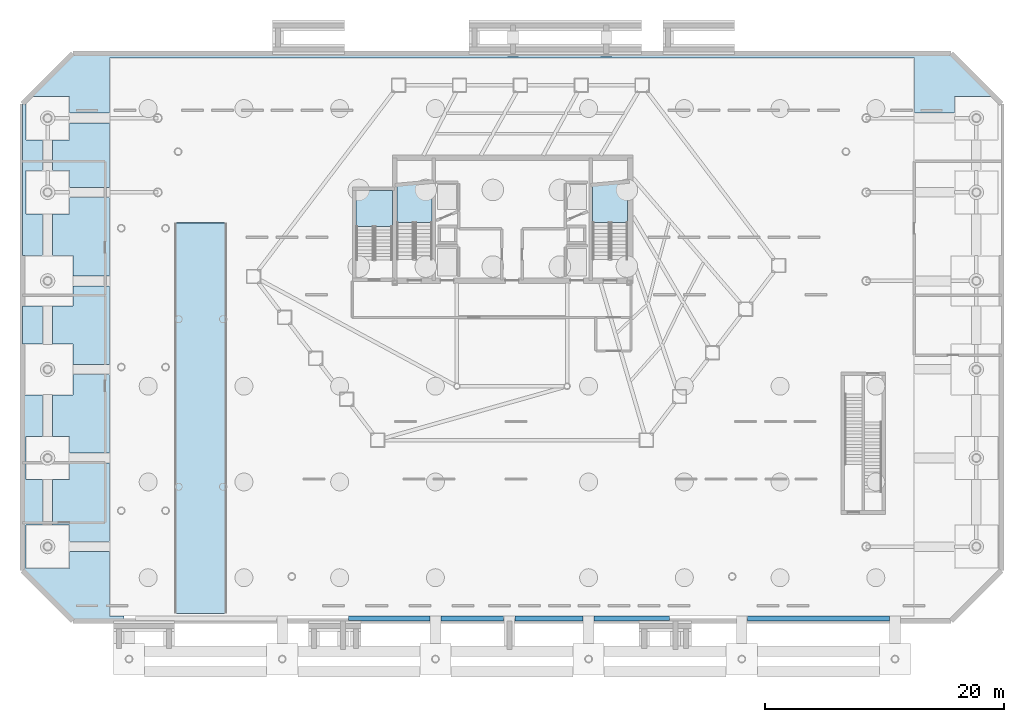
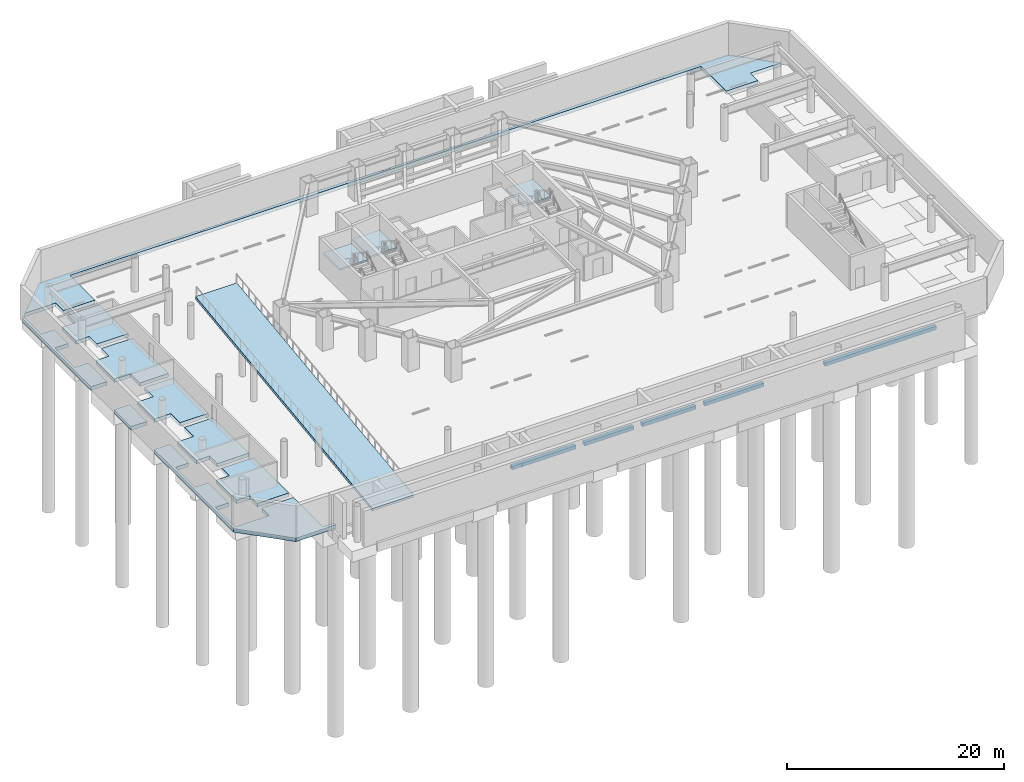
# One storey, part 8 of 19: 18 slabs, 3 elements without a shape of their own.
"""IFC4 building model written with IfcOpenShell, lengths in metres."""

from ifc_helpers import new_model, si_unit, direction, frame, origin, place, context, subcontext, project, spatial, polyline, outline, extrude, material, layer, layer_set, type_object, element, aggregate, save


model = new_model("IFC4")

# Units and contexts
model_context = context("Model", 3, precision=1e-05, world=origin(), true_north=direction((0.0, 1.0)))
body_context = subcontext(model_context, "Body", "Model", "MODEL_VIEW")
ifc_project = project(units=[si_unit("LENGTHUNIT", "METRE"), si_unit("AREAUNIT", "SQUARE_METRE"), si_unit("VOLUMEUNIT", "CUBIC_METRE"), si_unit("PLANEANGLEUNIT", "RADIAN"), si_unit("MASSUNIT", "GRAM", prefix="KILO")], contexts=[model_context])

# Site, building, storey
site_placement = place(None, origin())
site = spatial("IfcSite", under=ifc_project, at=site_placement, CompositionType="ELEMENT")
building_placement = place(site_placement, origin())
building = spatial("IfcBuilding", under=site, at=building_placement, Name="Zarrinselat Tower", CompositionType="ELEMENT")
storey_placement = place(building_placement, frame((0.0, 0.0, -8.159912109375)))
storey = spatial("IfcBuildingStorey", under=building, at=storey_placement, Name="B02", CompositionType="ELEMENT", Elevation=-8.159912109375)

# Slabs
ifc_material_1 = material(Name="Concrete C50/60", Category="concrete")
ifc_layer_1 = layer(ifc_material_1, 0.39990234375)
ifc_layer_set_1 = layer_set([ifc_layer_1], Name="Concrete C50/60")
slab_type_1 = type_object("IfcSlabType", Name="SLB-BASESLAB-400-SL-BS400", PredefinedType="BASESLAB", material=ifc_layer_set_1)
slab_1_placement = place(storey_placement, frame((0.0, 0.0, -0.400146484375)))
element("IfcSlab", 1, at=slab_1_placement, inside=storey, type_object=slab_type_1, Name="B02 Basement Base Slab Bay 1", PredefinedType="BASESLAB", context=body_context, shape_type="SweptSolid", body=[
    extrude(outline(polyline([(1.699951171875, 4.800048828125), (-2.5, 9.0), (-2.5, 23.68505859375), (-0.81494140625, 23.68505859375), (-0.81494140625, 20.215087890625), (-2.199951171875, 20.215087890625), (-2.201416015625, 20.21484375), (-2.202880859375, 20.214599609375), (-2.204345703125, 20.21435546875), (-2.205810546875, 20.2138671875), (-2.20703125, 20.213134765625), (-2.208251953125, 20.21240234375), (-2.20947265625, 20.211669921875), (-2.210693359375, 20.210693359375), (-2.211669921875, 20.20947265625), (-2.21240234375, 20.208251953125), (-2.213134765625, 20.20703125), (-2.2138671875, 20.205810546875), (-2.21435546875, 20.204345703125), (-2.214599609375, 20.202880859375), (-2.21484375, 20.201416015625), (-2.215087890625, 20.199951171875), (-2.215087890625, 16.60009765625), (-2.21484375, 16.598388671875), (-2.214599609375, 16.59716796875), (-2.21435546875, 16.595703125), (-2.2138671875, 16.59423828125), (-2.213134765625, 16.593017578125), (-2.21240234375, 16.591796875), (-2.211669921875, 16.590576171875), (-2.210693359375, 16.58935546875), (-2.20947265625, 16.58837890625), (-2.208251953125, 16.58740234375), (-2.20703125, 16.5869140625), (-2.205810546875, 16.586181640625), (-2.204345703125, 16.585693359375), (-2.202880859375, 16.585205078125), (-2.201416015625, 16.585205078125), (-2.199951171875, 16.5849609375), (-0.81494140625, 16.5849609375), (-0.81494140625, 12.81494140625), (-2.199951171875, 12.81494140625), (-2.201416015625, 12.81494140625), (-2.202880859375, 12.814697265625), (-2.204345703125, 12.814453125), (-2.205810546875, 12.81396484375), (-2.20703125, 12.813232421875), (-2.208251953125, 12.8125), (-2.20947265625, 12.8115234375), (-2.210693359375, 12.810546875), (-2.211669921875, 12.8095703125), (-2.21240234375, 12.808349609375), (-2.213134765625, 12.80712890625), (-2.2138671875, 12.8056640625), (-2.21435546875, 12.804443359375), (-2.214599609375, 12.802978515625), (-2.21484375, 12.801513671875), (-2.215087890625, 12.800048828125), (-2.215087890625, 9.199951171875), (-2.21484375, 9.198486328125), (-2.214599609375, 9.197021484375), (-2.21435546875, 9.195556640625), (-2.2138671875, 9.1943359375), (-2.213134765625, 9.19287109375), (-2.21240234375, 9.191650390625), (-2.211669921875, 9.1904296875), (-2.210693359375, 9.189453125), (-2.20947265625, 9.1884765625), (-2.208251953125, 9.1875), (-2.20703125, 9.186767578125), (-2.205810546875, 9.18603515625), (-2.204345703125, 9.185546875), (-2.202880859375, 9.185302734375), (-2.201416015625, 9.18505859375), (-2.199951171875, 9.18505859375), (1.39990234375, 9.18505859375), (1.401611328125, 9.18505859375), (1.40283203125, 9.185302734375), (1.404296875, 9.185546875), (1.40576171875, 9.18603515625), (1.406982421875, 9.186767578125), (1.408203125, 9.1875), (1.409423828125, 9.1884765625), (1.41064453125, 9.189453125), (1.41162109375, 9.1904296875), (1.41259765625, 9.191650390625), (1.4130859375, 9.19287109375), (1.413818359375, 9.1943359375), (1.414306640625, 9.195556640625), (1.414794921875, 9.197021484375), (1.414794921875, 9.198486328125), (1.4150390625, 9.199951171875), (1.4150390625, 10.5849609375), (4.784912109375, 10.5849609375), (4.784912109375, 5.199951171875), (4.78515625, 5.198486328125), (4.785400390625, 5.197021484375), (4.78564453125, 5.195556640625), (4.7861328125, 5.1943359375), (4.786865234375, 5.19287109375), (4.78759765625, 5.191650390625), (4.788330078125, 5.1904296875), (4.789306640625, 5.189453125), (4.79052734375, 5.1884765625), (4.791748046875, 5.1875), (4.79296875, 5.186767578125), (4.794189453125, 5.18603515625), (4.795654296875, 5.185546875), (4.797119140625, 5.185302734375), (4.798583984375, 5.18505859375), (4.800048828125, 5.18505859375), (5.9951171875, 5.18505859375), (5.9951171875, 4.81494140625), (5.10009765625, 4.81494140625), (5.098388671875, 4.81494140625), (5.09716796875, 4.814697265625), (5.095703125, 4.814453125), (5.09423828125, 4.81396484375), (5.093017578125, 4.813232421875), (5.091796875, 4.8125), (5.090576171875, 4.8115234375), (5.08935546875, 4.810546875), (5.08837890625, 4.8095703125), (5.08740234375, 4.808349609375), (5.0869140625, 4.80712890625), (5.086181640625, 4.8056640625), (5.085693359375, 4.804443359375), (5.085205078125, 4.802978515625), (5.085205078125, 4.801513671875), (5.0849609375, 4.800048828125), (1.699951171875, 4.800048828125)])), origin(), (0.0, 0.0, 1.0), 0.400146484375),
])
slab_2_placement = place(storey_placement, frame((0.0, 0.0, -0.400146484375)))
element("IfcSlab", 2, at=slab_2_placement, inside=storey, type_object=slab_type_1, Name="B02 Basement Base Slab Bay 3", PredefinedType="BASESLAB", context=body_context, shape_type="SweptSolid", body=[
    extrude(outline(polyline([(25.81494140625, 4.800048828125), (25.81494140625, 4.801513671875), (25.814697265625, 4.802978515625), (25.814453125, 4.804443359375), (25.81396484375, 4.8056640625), (25.813232421875, 4.80712890625), (25.8125, 4.808349609375), (25.8115234375, 4.8095703125), (25.810546875, 4.810546875), (25.8095703125, 4.8115234375), (25.808349609375, 4.8125), (25.80712890625, 4.813232421875), (25.8056640625, 4.81396484375), (25.804443359375, 4.814453125), (25.802978515625, 4.814697265625), (25.801513671875, 4.81494140625), (25.800048828125, 4.81494140625), (24.739990234375, 4.81494140625), (24.739990234375, 5.18505859375), (31.534912109375, 5.18505859375), (31.534912109375, 4.800048828125), (25.81494140625, 4.800048828125)])), origin(), (0.0, 0.0, 1.0), 0.400146484375),
])
slab_3_placement = place(storey_placement, frame((0.0, 0.0, -0.400146484375)))
element("IfcSlab", 3, at=slab_3_placement, inside=storey, type_object=slab_type_1, Name="B02 Basement Base Slab Bay 4", PredefinedType="BASESLAB", context=body_context, shape_type="SweptSolid", body=[
    extrude(outline(polyline([(32.465087890625, 4.800048828125), (32.465087890625, 5.18505859375), (37.7099609375, 5.18505859375), (37.7099609375, 4.800048828125), (32.465087890625, 4.800048828125)])), origin(), (0.0, 0.0, 1.0), 0.400146484375),
])
slab_4_placement = place(storey_placement, frame((0.0, 0.0, -0.400146484375)))
element("IfcSlab", 4, at=slab_4_placement, inside=storey, type_object=slab_type_1, Name="B02 Basement Base Slab Bay 5", PredefinedType="BASESLAB", context=body_context, shape_type="SweptSolid", body=[
    extrude(outline(polyline([(38.639892578125, 4.800048828125), (38.639892578125, 5.18505859375), (44.3349609375, 5.18505859375), (44.3349609375, 4.800048828125), (38.639892578125, 4.800048828125)])), origin(), (0.0, 0.0, 1.0), 0.400146484375),
])
slab_5_placement = place(storey_placement, frame((0.0, 0.0, -0.400146484375)))
element("IfcSlab", 5, at=slab_5_placement, inside=storey, type_object=slab_type_1, Name="B02 Basement Base Slab Bay 6", PredefinedType="BASESLAB", context=body_context, shape_type="SweptSolid", body=[
    extrude(outline(polyline([(45.264892578125, 4.800048828125), (45.264892578125, 5.18505859375), (51.574951171875, 5.18505859375), (51.574951171875, 4.81494140625), (49.0, 4.81494140625), (48.99853515625, 4.81494140625), (48.9970703125, 4.814697265625), (48.99560546875, 4.814453125), (48.994384765625, 4.81396484375), (48.992919921875, 4.813232421875), (48.99169921875, 4.8125), (48.990478515625, 4.8115234375), (48.989501953125, 4.810546875), (48.98828125, 4.8095703125), (48.987548828125, 4.808349609375), (48.98681640625, 4.80712890625), (48.986083984375, 4.8056640625), (48.985595703125, 4.804443359375), (48.9853515625, 4.802978515625), (48.985107421875, 4.801513671875), (48.985107421875, 4.800048828125), (45.264892578125, 4.800048828125)])), origin(), (0.0, 0.0, 1.0), 0.400146484375),
])
slab_6_placement = place(storey_placement, frame((0.0, 0.0, -0.400146484375)))
element("IfcSlab", 6, at=slab_6_placement, inside=storey, type_object=slab_type_1, Name="B02 Basement Base Slab Bay 7", PredefinedType="BASESLAB", context=body_context, shape_type="SweptSolid", body=[
    extrude(outline(polyline([(58.06494140625, 4.800048828125), (58.06494140625, 5.18505859375), (69.93505859375, 5.18505859375), (69.93505859375, 4.800048828125), (58.06494140625, 4.800048828125)])), origin(), (0.0, 0.0, 1.0), 0.400146484375),
])
slab_7_placement = place(storey_placement, frame((0.0, 0.0, -0.400146484375)))
element("IfcSlab", 7, at=slab_7_placement, inside=storey, type_object=slab_type_1, Name="B02 Basement Base Slab Bay 11", PredefinedType="BASESLAB", context=body_context, shape_type="SweptSolid", body=[
    extrude(outline(polyline([(75.10009765625, 52.199951171875), (78.68505859375, 48.614990234375), (75.39990234375, 48.614990234375), (75.3984375, 48.614990234375), (75.397216796875, 48.61474609375), (75.3955078125, 48.614501953125), (75.394287109375, 48.614013671875), (75.392822265625, 48.61328125), (75.3916015625, 48.612548828125), (75.390380859375, 48.611572265625), (75.389404296875, 48.610595703125), (75.388427734375, 48.609619140625), (75.387451171875, 48.6083984375), (75.38671875, 48.607177734375), (75.385986328125, 48.605712890625), (75.385498046875, 48.6044921875), (75.38525390625, 48.602783203125), (75.385009765625, 48.6015625), (75.385009765625, 48.60009765625), (75.385009765625, 47.215087890625), (72.014892578125, 47.215087890625), (72.014892578125, 51.800048828125), (72.014892578125, 51.801513671875), (72.0146484375, 51.802978515625), (72.014404296875, 51.804443359375), (72.013916015625, 51.8056640625), (72.01318359375, 51.80712890625), (72.012451171875, 51.808349609375), (72.01171875, 51.8095703125), (72.010498046875, 51.810546875), (72.009521484375, 51.8115234375), (72.00830078125, 51.8125), (72.007080078125, 51.813232421875), (72.005615234375, 51.81396484375), (72.00439453125, 51.814453125), (72.0029296875, 51.814697265625), (72.00146484375, 51.81494140625), (72.0, 51.81494140625), (4.800048828125, 51.81494140625), (4.798583984375, 51.81494140625), (4.797119140625, 51.814697265625), (4.795654296875, 51.814453125), (4.794189453125, 51.81396484375), (4.79296875, 51.813232421875), (4.791748046875, 51.8125), (4.79052734375, 51.8115234375), (4.789306640625, 51.810546875), (4.788330078125, 51.8095703125), (4.78759765625, 51.808349609375), (4.786865234375, 51.80712890625), (4.7861328125, 51.8056640625), (4.78564453125, 51.804443359375), (4.785400390625, 51.802978515625), (4.78515625, 51.801513671875), (4.784912109375, 51.800048828125), (4.784912109375, 47.215087890625), (1.4150390625, 47.215087890625), (1.4150390625, 48.60009765625), (1.414794921875, 48.6015625), (1.414794921875, 48.602783203125), (1.414306640625, 48.6044921875), (1.413818359375, 48.605712890625), (1.4130859375, 48.607177734375), (1.41259765625, 48.6083984375), (1.41162109375, 48.609619140625), (1.41064453125, 48.610595703125), (1.409423828125, 48.611572265625), (1.408203125, 48.612548828125), (1.406982421875, 48.61328125), (1.40576171875, 48.614013671875), (1.404296875, 48.614501953125), (1.40283203125, 48.61474609375), (1.401611328125, 48.614990234375), (1.39990234375, 48.614990234375), (-1.885009765625, 48.614990234375), (1.699951171875, 52.199951171875), (18.385009765625, 52.199951171875), (18.385009765625, 52.10009765625), (18.385009765625, 52.098388671875), (18.38525390625, 52.09716796875), (18.385498046875, 52.095703125), (18.385986328125, 52.09423828125), (18.38671875, 52.093017578125), (18.387451171875, 52.091796875), (18.388427734375, 52.090576171875), (18.389404296875, 52.08935546875), (18.390380859375, 52.08837890625), (18.3916015625, 52.08740234375), (18.392822265625, 52.0869140625), (18.394287109375, 52.086181640625), (18.3955078125, 52.085693359375), (18.397216796875, 52.085205078125), (18.3984375, 52.085205078125), (18.39990234375, 52.0849609375), (24.39990234375, 52.0849609375), (24.401611328125, 52.085205078125), (24.40283203125, 52.085205078125), (24.404296875, 52.085693359375), (24.40576171875, 52.086181640625), (24.406982421875, 52.0869140625), (24.408203125, 52.08740234375), (24.409423828125, 52.08837890625), (24.41064453125, 52.08935546875), (24.41162109375, 52.090576171875), (24.41259765625, 52.091796875), (24.4130859375, 52.093017578125), (24.413818359375, 52.09423828125), (24.414306640625, 52.095703125), (24.414794921875, 52.09716796875), (24.414794921875, 52.098388671875), (24.4150390625, 52.10009765625), (24.4150390625, 52.199951171875), (34.784912109375, 52.199951171875), (34.784912109375, 52.10009765625), (34.78515625, 52.098388671875), (34.785400390625, 52.09716796875), (34.78564453125, 52.095703125), (34.7861328125, 52.09423828125), (34.786865234375, 52.093017578125), (34.78759765625, 52.091796875), (34.788330078125, 52.090576171875), (34.789306640625, 52.08935546875), (34.79052734375, 52.08837890625), (34.791748046875, 52.08740234375), (34.79296875, 52.0869140625), (34.794189453125, 52.086181640625), (34.795654296875, 52.085693359375), (34.797119140625, 52.085205078125), (34.798583984375, 52.085205078125), (34.800048828125, 52.0849609375), (38.010009765625, 52.0849609375), (38.010009765625, 52.0), (38.010009765625, 51.99853515625), (38.01025390625, 51.9970703125), (38.010498046875, 51.99560546875), (38.010986328125, 51.994384765625), (38.01171875, 51.992919921875), (38.012451171875, 51.99169921875), (38.013427734375, 51.990478515625), (38.014404296875, 51.989501953125), (38.015380859375, 51.98828125), (38.0166015625, 51.987548828125), (38.017822265625, 51.98681640625), (38.019287109375, 51.986083984375), (38.0205078125, 51.985595703125), (38.022216796875, 51.9853515625), (38.0234375, 51.985107421875), (38.02490234375, 51.985107421875), (38.925048828125, 51.985107421875), (38.926513671875, 51.985107421875), (38.927978515625, 51.9853515625), (38.929443359375, 51.985595703125), (38.9306640625, 51.986083984375), (38.93212890625, 51.98681640625), (38.933349609375, 51.987548828125), (38.9345703125, 51.98828125), (38.935546875, 51.989501953125), (38.9365234375, 51.990478515625), (38.9375, 51.99169921875), (38.938232421875, 51.992919921875), (38.93896484375, 51.994384765625), (38.939453125, 51.99560546875), (38.939697265625, 51.9970703125), (38.93994140625, 51.99853515625), (38.93994140625, 52.0), (38.93994140625, 52.0849609375), (45.81005859375, 52.0849609375), (45.81005859375, 52.0), (45.81005859375, 51.99853515625), (45.810302734375, 51.9970703125), (45.810546875, 51.99560546875), (45.81103515625, 51.994384765625), (45.811767578125, 51.992919921875), (45.8125, 51.99169921875), (45.8134765625, 51.990478515625), (45.814453125, 51.989501953125), (45.8154296875, 51.98828125), (45.816650390625, 51.987548828125), (45.81787109375, 51.98681640625), (45.8193359375, 51.986083984375), (45.820556640625, 51.985595703125), (45.822021484375, 51.9853515625), (45.823486328125, 51.985107421875), (45.824951171875, 51.985107421875), (46.72509765625, 51.985107421875), (46.7265625, 51.985107421875), (46.727783203125, 51.9853515625), (46.7294921875, 51.985595703125), (46.730712890625, 51.986083984375), (46.732177734375, 51.98681640625), (46.7333984375, 51.987548828125), (46.734619140625, 51.98828125), (46.735595703125, 51.989501953125), (46.736572265625, 51.990478515625), (46.737548828125, 51.99169921875), (46.73828125, 51.992919921875), (46.739013671875, 51.994384765625), (46.739501953125, 51.99560546875), (46.73974609375, 51.9970703125), (46.739990234375, 51.99853515625), (46.739990234375, 52.0), (46.739990234375, 52.0849609375), (49.199951171875, 52.0849609375), (49.201416015625, 52.085205078125), (49.202880859375, 52.085205078125), (49.204345703125, 52.085693359375), (49.205810546875, 52.086181640625), (49.20703125, 52.0869140625), (49.208251953125, 52.08740234375), (49.20947265625, 52.08837890625), (49.210693359375, 52.08935546875), (49.211669921875, 52.090576171875), (49.21240234375, 52.091796875), (49.213134765625, 52.093017578125), (49.2138671875, 52.09423828125), (49.21435546875, 52.095703125), (49.214599609375, 52.09716796875), (49.21484375, 52.098388671875), (49.215087890625, 52.10009765625), (49.215087890625, 52.199951171875), (50.985107421875, 52.199951171875), (50.985107421875, 52.10009765625), (50.985107421875, 52.098388671875), (50.9853515625, 52.09716796875), (50.985595703125, 52.095703125), (50.986083984375, 52.09423828125), (50.98681640625, 52.093017578125), (50.987548828125, 52.091796875), (50.98828125, 52.090576171875), (50.989501953125, 52.08935546875), (50.990478515625, 52.08837890625), (50.99169921875, 52.08740234375), (50.992919921875, 52.0869140625), (50.994384765625, 52.086181640625), (50.99560546875, 52.085693359375), (50.9970703125, 52.085205078125), (50.99853515625, 52.085205078125), (51.0, 52.0849609375), (57.0, 52.0849609375), (57.00146484375, 52.085205078125), (57.0029296875, 52.085205078125), (57.00439453125, 52.085693359375), (57.005615234375, 52.086181640625), (57.007080078125, 52.0869140625), (57.00830078125, 52.08740234375), (57.009521484375, 52.08837890625), (57.010498046875, 52.08935546875), (57.01171875, 52.090576171875), (57.012451171875, 52.091796875), (57.01318359375, 52.093017578125), (57.013916015625, 52.09423828125), (57.014404296875, 52.095703125), (57.0146484375, 52.09716796875), (57.014892578125, 52.098388671875), (57.014892578125, 52.10009765625), (57.014892578125, 52.199951171875), (75.10009765625, 52.199951171875)])), origin(), (0.0, 0.0, 1.0), 0.400146484375),
])
slab_8_placement = place(storey_placement, frame((0.0, 0.0, -0.400146484375)))
element("IfcSlab", 8, at=slab_8_placement, inside=storey, type_object=slab_type_1, Name="B02 Basement Base Slab Bay 12", PredefinedType="BASESLAB", context=body_context, shape_type="SweptSolid", body=[
    extrude(outline(polyline([(-2.5, 48.0), (-2.215087890625, 48.284912109375), (-2.215087890625, 45.0), (-2.21484375, 44.99853515625), (-2.214599609375, 44.9970703125), (-2.21435546875, 44.99560546875), (-2.2138671875, 44.994384765625), (-2.213134765625, 44.992919921875), (-2.21240234375, 44.99169921875), (-2.211669921875, 44.990478515625), (-2.210693359375, 44.989501953125), (-2.20947265625, 44.98828125), (-2.208251953125, 44.987548828125), (-2.20703125, 44.98681640625), (-2.205810546875, 44.986083984375), (-2.204345703125, 44.985595703125), (-2.202880859375, 44.9853515625), (-2.201416015625, 44.985107421875), (-2.199951171875, 44.985107421875), (-0.81494140625, 44.985107421875), (-0.81494140625, 42.4150390625), (-2.199951171875, 42.4150390625), (-2.201416015625, 42.414794921875), (-2.202880859375, 42.414794921875), (-2.204345703125, 42.414306640625), (-2.205810546875, 42.413818359375), (-2.20703125, 42.4130859375), (-2.208251953125, 42.41259765625), (-2.20947265625, 42.41162109375), (-2.210693359375, 42.41064453125), (-2.211669921875, 42.409423828125), (-2.21240234375, 42.408203125), (-2.213134765625, 42.406982421875), (-2.2138671875, 42.40576171875), (-2.21435546875, 42.404296875), (-2.214599609375, 42.40283203125), (-2.21484375, 42.401611328125), (-2.215087890625, 42.39990234375), (-2.215087890625, 38.800048828125), (-2.21484375, 38.798583984375), (-2.214599609375, 38.797119140625), (-2.21435546875, 38.795654296875), (-2.2138671875, 38.794189453125), (-2.213134765625, 38.79296875), (-2.21240234375, 38.791748046875), (-2.211669921875, 38.79052734375), (-2.210693359375, 38.789306640625), (-2.20947265625, 38.788330078125), (-2.208251953125, 38.78759765625), (-2.20703125, 38.786865234375), (-2.205810546875, 38.7861328125), (-2.204345703125, 38.78564453125), (-2.202880859375, 38.785400390625), (-2.201416015625, 38.78515625), (-2.199951171875, 38.784912109375), (-0.81494140625, 38.784912109375), (-0.81494140625, 35.31494140625), (-2.5, 35.31494140625), (-2.5, 48.0)])), origin(), (0.0, 0.0, 1.0), 0.400146484375),
])
slab_9_placement = place(storey_placement, frame((0.0, 0.0, -0.400146484375)))
element("IfcSlab", 9, at=slab_9_placement, inside=storey, type_object=slab_type_1, Name="B02 Basement Base Slab Bay 13", PredefinedType="BASESLAB", context=body_context, shape_type="SweptSolid", body=[
    extrude(outline(polyline([(-2.5, 31.0849609375), (-0.81494140625, 31.0849609375), (-0.81494140625, 27.9150390625), (-2.5, 27.9150390625), (-2.5, 31.0849609375)])), origin(), (0.0, 0.0, 1.0), 0.400146484375),
])
slab_10_placement = place(storey_placement, frame((0.0, 0.0, -0.400146484375)))
element("IfcSlab", 10, at=slab_10_placement, inside=storey, type_object=slab_type_1, Name="B02 Basement Base Slab Bay 19", PredefinedType="BASESLAB", context=body_context, shape_type="SweptSolid", body=[
    extrude(outline(polyline([(4.784912109375, 17.985107421875), (4.784912109375, 11.4150390625), (1.4150390625, 11.4150390625), (1.4150390625, 12.800048828125), (1.414794921875, 12.801513671875), (1.414794921875, 12.802978515625), (1.414306640625, 12.804443359375), (1.413818359375, 12.8056640625), (1.4130859375, 12.80712890625), (1.41259765625, 12.808349609375), (1.41162109375, 12.8095703125), (1.41064453125, 12.810546875), (1.409423828125, 12.8115234375), (1.408203125, 12.8125), (1.406982421875, 12.813232421875), (1.40576171875, 12.81396484375), (1.404296875, 12.814453125), (1.40283203125, 12.814697265625), (1.401611328125, 12.81494140625), (1.39990234375, 12.81494140625), (0.014892578125, 12.81494140625), (0.014892578125, 16.5849609375), (1.39990234375, 16.5849609375), (1.401611328125, 16.585205078125), (1.40283203125, 16.585205078125), (1.404296875, 16.585693359375), (1.40576171875, 16.586181640625), (1.406982421875, 16.5869140625), (1.408203125, 16.58740234375), (1.409423828125, 16.58837890625), (1.41064453125, 16.58935546875), (1.41162109375, 16.590576171875), (1.41259765625, 16.591796875), (1.4130859375, 16.593017578125), (1.413818359375, 16.59423828125), (1.414306640625, 16.595703125), (1.414794921875, 16.59716796875), (1.414794921875, 16.598388671875), (1.4150390625, 16.60009765625), (1.4150390625, 17.985107421875), (4.784912109375, 17.985107421875)])), origin(), (0.0, 0.0, 1.0), 0.400146484375),
])
slab_11_placement = place(storey_placement, frame((0.0, 0.0, -0.400146484375)))
element("IfcSlab", 11, at=slab_11_placement, inside=storey, type_object=slab_type_1, Name="B02 Basement Base Slab Bay 20", PredefinedType="BASESLAB", context=body_context, shape_type="SweptSolid", body=[
    extrude(outline(polyline([(4.784912109375, 32.784912109375), (4.784912109375, 26.215087890625), (1.715087890625, 26.215087890625), (1.715087890625, 27.89990234375), (1.71484375, 27.901611328125), (1.714599609375, 27.90283203125), (1.71435546875, 27.904296875), (1.7138671875, 27.90576171875), (1.713134765625, 27.906982421875), (1.71240234375, 27.908203125), (1.711669921875, 27.909423828125), (1.710693359375, 27.91064453125), (1.70947265625, 27.91162109375), (1.708251953125, 27.91259765625), (1.70703125, 27.9130859375), (1.705810546875, 27.913818359375), (1.704345703125, 27.914306640625), (1.702880859375, 27.914794921875), (1.701416015625, 27.914794921875), (1.699951171875, 27.9150390625), (0.014892578125, 27.9150390625), (0.014892578125, 31.0849609375), (1.699951171875, 31.0849609375), (1.701416015625, 31.085205078125), (1.702880859375, 31.085205078125), (1.704345703125, 31.085693359375), (1.705810546875, 31.086181640625), (1.70703125, 31.0869140625), (1.708251953125, 31.08740234375), (1.70947265625, 31.08837890625), (1.710693359375, 31.08935546875), (1.711669921875, 31.090576171875), (1.71240234375, 31.091796875), (1.713134765625, 31.093017578125), (1.7138671875, 31.09423828125), (1.71435546875, 31.095703125), (1.714599609375, 31.09716796875), (1.71484375, 31.098388671875), (1.715087890625, 31.10009765625), (1.715087890625, 32.784912109375), (4.784912109375, 32.784912109375)])), origin(), (0.0, 0.0, 1.0), 0.400146484375),
])
slab_12_placement = place(storey_placement, frame((0.0, 0.0, -0.400146484375)))
element("IfcSlab", 12, at=slab_12_placement, inside=storey, type_object=slab_type_1, Name="B02 Basement Base Slab Bay 21", PredefinedType="BASESLAB", context=body_context, shape_type="SweptSolid", body=[
    extrude(outline(polyline([(4.784912109375, 25.385009765625), (4.784912109375, 18.81494140625), (1.4150390625, 18.81494140625), (1.4150390625, 20.199951171875), (1.414794921875, 20.201416015625), (1.414794921875, 20.202880859375), (1.414306640625, 20.204345703125), (1.413818359375, 20.205810546875), (1.4130859375, 20.20703125), (1.41259765625, 20.208251953125), (1.41162109375, 20.20947265625), (1.41064453125, 20.210693359375), (1.409423828125, 20.211669921875), (1.408203125, 20.21240234375), (1.406982421875, 20.213134765625), (1.40576171875, 20.2138671875), (1.404296875, 20.21435546875), (1.40283203125, 20.214599609375), (1.401611328125, 20.21484375), (1.39990234375, 20.215087890625), (0.014892578125, 20.215087890625), (0.014892578125, 23.68505859375), (1.699951171875, 23.68505859375), (1.701416015625, 23.68505859375), (1.702880859375, 23.685302734375), (1.704345703125, 23.685546875), (1.705810546875, 23.68603515625), (1.70703125, 23.686767578125), (1.708251953125, 23.6875), (1.70947265625, 23.6884765625), (1.710693359375, 23.689453125), (1.711669921875, 23.6904296875), (1.71240234375, 23.691650390625), (1.713134765625, 23.69287109375), (1.7138671875, 23.6943359375), (1.71435546875, 23.695556640625), (1.714599609375, 23.697021484375), (1.71484375, 23.698486328125), (1.715087890625, 23.699951171875), (1.715087890625, 25.385009765625), (4.784912109375, 25.385009765625)])), origin(), (0.0, 0.0, 1.0), 0.400146484375),
])
slab_13_placement = place(storey_placement, frame((0.0, 0.0, -0.400146484375)))
element("IfcSlab", 13, at=slab_13_placement, inside=storey, type_object=slab_type_1, Name="B02 Basement Base Slab Bay 22", PredefinedType="BASESLAB", context=body_context, shape_type="SweptSolid", body=[
    extrude(outline(polyline([(4.784912109375, 46.385009765625), (4.784912109375, 41.014892578125), (1.4150390625, 41.014892578125), (1.4150390625, 42.39990234375), (1.414794921875, 42.401611328125), (1.414794921875, 42.40283203125), (1.414306640625, 42.404296875), (1.413818359375, 42.40576171875), (1.4130859375, 42.406982421875), (1.41259765625, 42.408203125), (1.41162109375, 42.409423828125), (1.41064453125, 42.41064453125), (1.409423828125, 42.41162109375), (1.408203125, 42.41259765625), (1.406982421875, 42.4130859375), (1.40576171875, 42.413818359375), (1.404296875, 42.414306640625), (1.40283203125, 42.414794921875), (1.401611328125, 42.414794921875), (1.39990234375, 42.4150390625), (0.014892578125, 42.4150390625), (0.014892578125, 44.985107421875), (1.39990234375, 44.985107421875), (1.401611328125, 44.985107421875), (1.40283203125, 44.9853515625), (1.404296875, 44.985595703125), (1.40576171875, 44.986083984375), (1.406982421875, 44.98681640625), (1.408203125, 44.987548828125), (1.409423828125, 44.98828125), (1.41064453125, 44.989501953125), (1.41162109375, 44.990478515625), (1.41259765625, 44.99169921875), (1.4130859375, 44.992919921875), (1.413818359375, 44.994384765625), (1.414306640625, 44.99560546875), (1.414794921875, 44.9970703125), (1.414794921875, 44.99853515625), (1.4150390625, 45.0), (1.4150390625, 46.385009765625), (4.784912109375, 46.385009765625)])), origin(), (0.0, 0.0, 1.0), 0.400146484375),
])
slab_14_placement = place(storey_placement, frame((0.0, 0.0, -0.400146484375)))
element("IfcSlab", 14, at=slab_14_placement, inside=storey, type_object=slab_type_1, Name="B02 Basement Base Slab Bay 23", PredefinedType="BASESLAB", context=body_context, shape_type="SweptSolid", body=[
    extrude(outline(polyline([(4.784912109375, 40.18505859375), (4.784912109375, 33.614990234375), (1.715087890625, 33.614990234375), (1.715087890625, 35.300048828125), (1.71484375, 35.301513671875), (1.714599609375, 35.302978515625), (1.71435546875, 35.304443359375), (1.7138671875, 35.3056640625), (1.713134765625, 35.30712890625), (1.71240234375, 35.308349609375), (1.711669921875, 35.3095703125), (1.710693359375, 35.310546875), (1.70947265625, 35.3115234375), (1.708251953125, 35.3125), (1.70703125, 35.313232421875), (1.705810546875, 35.31396484375), (1.704345703125, 35.314453125), (1.702880859375, 35.314697265625), (1.701416015625, 35.31494140625), (1.699951171875, 35.31494140625), (0.014892578125, 35.31494140625), (0.014892578125, 38.784912109375), (1.39990234375, 38.784912109375), (1.401611328125, 38.78515625), (1.40283203125, 38.785400390625), (1.404296875, 38.78564453125), (1.40576171875, 38.7861328125), (1.406982421875, 38.786865234375), (1.408203125, 38.78759765625), (1.409423828125, 38.788330078125), (1.41064453125, 38.789306640625), (1.41162109375, 38.79052734375), (1.41259765625, 38.791748046875), (1.4130859375, 38.79296875), (1.413818359375, 38.794189453125), (1.414306640625, 38.795654296875), (1.414794921875, 38.797119140625), (1.414794921875, 38.798583984375), (1.4150390625, 38.800048828125), (1.4150390625, 40.18505859375), (4.784912109375, 40.18505859375)])), origin(), (0.0, 0.0, 1.0), 0.400146484375),
])

# Stair, slab
ifc_material_2 = material(Name="Concrete C40/50", Category="concrete")
stair_type_1 = type_object("IfcStairType", Name="STR-CORE-145", PredefinedType="HALF_TURN_STAIR", material=ifc_material_2)
stair_1_placement = place(storey_placement, origin())
stair_1 = element("IfcStair", 15, at=stair_1_placement, inside=storey, type_object=stair_type_1, Name="B02 Podium & Mid-Tower Exit Stair 3", PredefinedType="HALF_TURN_STAIR")
ifc_material_3 = material(Name="Concrete C40/50", Category="concrete")
ifc_layer_2 = layer(ifc_material_3, 0.1650390625)
ifc_layer_set_2 = layer_set([ifc_layer_2], Name="Concrete C40/50")
slab_type_2 = type_object("IfcSlabType", Name="SLB-LND-165", PredefinedType="LANDING", material=ifc_layer_set_2)
slab_15_placement = place(storey_placement, frame((0.0, 0.0, 1.83984375)))
slab_15 = element("IfcSlab", 16, at=slab_15_placement, type_object=slab_type_2, Name="ST-3 landing 1", PredefinedType="LANDING", context=body_context, shape_type="SweptSolid", body=[
    extrude(outline(polyline([(28.39990234375, 37.75), (28.39990234375, 40.75), (25.3798828125, 40.75), (25.3798828125, 37.75), (28.39990234375, 37.75)])), origin(), (0.0, 0.0, 1.0), 0.199951171875),
])
aggregate(stair_1, [slab_15])

ifc_material_4 = material(Name="Concrete C40/50", Category="concrete")
stair_type_2 = type_object("IfcStairType", Name="STR-CORE-155", PredefinedType="HALF_TURN_STAIR", material=ifc_material_4)
stair_2_placement = place(storey_placement, origin())
stair_2 = element("IfcStair", 17, at=stair_2_placement, inside=storey, type_object=stair_type_2, Name="B02 Core Exit Stair 1", PredefinedType="HALF_TURN_STAIR")
ifc_material_5 = material(Name="Concrete C40/50", Category="concrete")
ifc_layer_3 = layer(ifc_material_5, 0.18994140625)
ifc_layer_set_3 = layer_set([ifc_layer_3], Name="Concrete C40/50")
slab_type_3 = type_object("IfcSlabType", Name="SLB-LND-190", PredefinedType="LANDING", material=ifc_layer_set_3)
slab_16_placement = place(storey_placement, frame((0.0, 0.0, 1.83984375)))
slab_16 = element("IfcSlab", 18, at=slab_16_placement, type_object=slab_type_3, Name="ST-1 landing 1", PredefinedType="LANDING", context=body_context, shape_type="SweptSolid", body=[
    extrude(outline(polyline([(31.719970703125, 38.10009765625), (31.719970703125, 41.35009765625), (28.800048828125, 41.35009765625), (28.800048828125, 38.10009765625), (31.719970703125, 38.10009765625)])), origin(), (0.0, 0.0, 1.0), 0.199951171875),
])
aggregate(stair_2, [slab_16])

stair_3_placement = place(storey_placement, origin())
stair_3 = element("IfcStair", 19, at=stair_3_placement, inside=storey, type_object=stair_type_2, Name="B02 Core Exit Stair 2", PredefinedType="HALF_TURN_STAIR")
slab_17_placement = place(storey_placement, frame((0.0, 0.0, 1.83984375)))
slab_17 = element("IfcSlab", 20, at=slab_17_placement, type_object=slab_type_3, Name="ST-2 landing 1", PredefinedType="LANDING", context=body_context, shape_type="SweptSolid", body=[
    extrude(outline(polyline([(48.06005859375, 38.10009765625), (48.06005859375, 41.35009765625), (45.139892578125, 41.35009765625), (45.139892578125, 38.10009765625), (48.06005859375, 38.10009765625)])), origin(), (0.0, 0.0, 1.0), 0.199951171875),
])
aggregate(stair_3, [slab_17])

# Slab
ifc_material_6 = material(Name="Concrete C40/50", Category="concrete")
ifc_layer_4 = layer(ifc_material_6, 0.300048828125)
ifc_layer_set_4 = layer_set([ifc_layer_4], Name="Concrete C40/50")
slab_type_4 = type_object("IfcSlabType", Name="SLB-VRAMP-300", PredefinedType="FLOOR", material=ifc_layer_set_4)
slab_18_placement = place(storey_placement, frame((10.199951171875, 5.39990234375, 0.0), z_axis=(0.0, -0.124029253716, 0.992278561807), x_axis=(1.0, 0.0, 0.0)))
element("IfcSlab", 21, at=slab_18_placement, inside=storey, type_object=slab_type_4, Name="B02 Basement Car Park Vehicle Ramp Slab R1", PredefinedType="FLOOR", context=body_context, shape_type="SweptSolid", body=[
    extrude(outline(polyline([(0.0, 0.0), (4.400146484375, 0.0), (4.400146484375, 32.89412668484684), (0.0, 32.89412668484684), (0.0, 0.0)])), origin(), (0.0, 0.0, -1.0), 0.300048828125),
])

save(model, "model.ifc")
